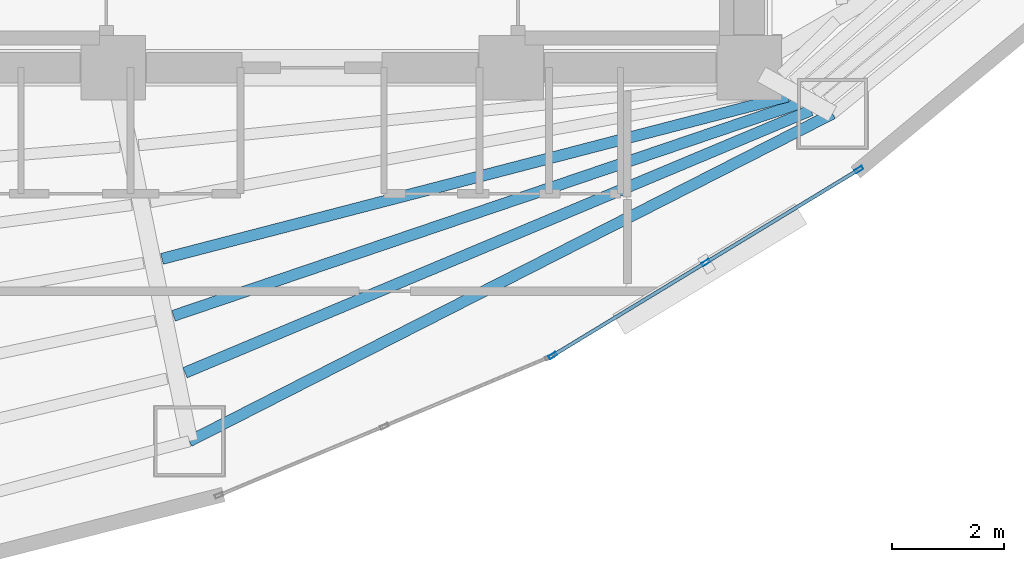
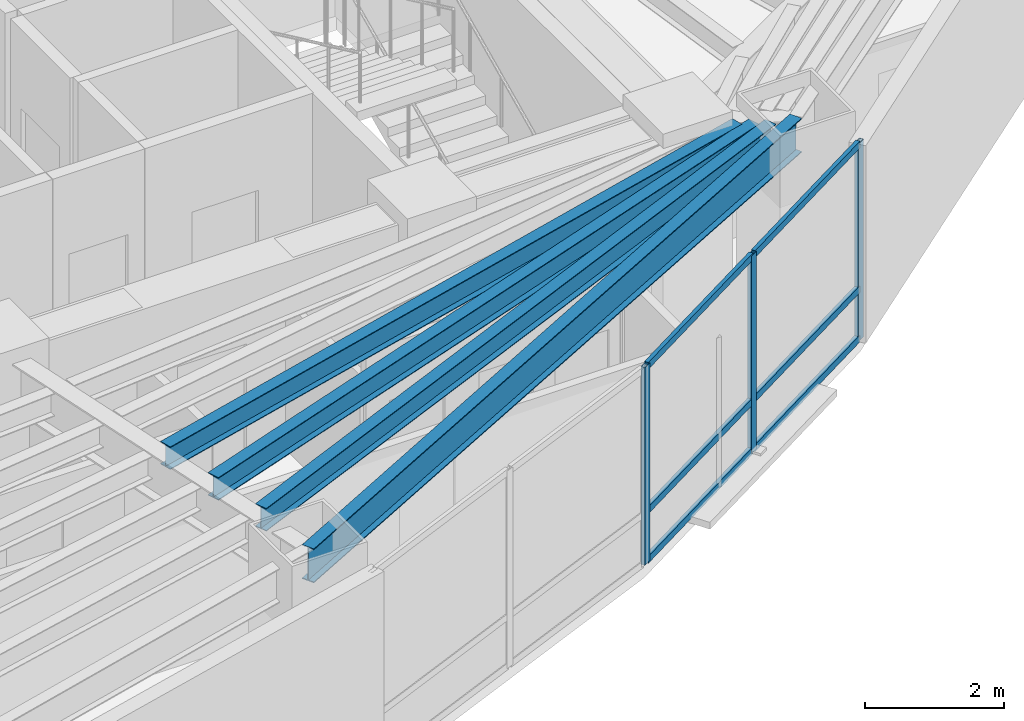
# One storey, part 5 of 18: 9 members, 4 beams, 1 element without a shape of its own.
"""IFC4 building model written with IfcOpenShell, lengths in metres."""

from ifc_helpers import new_model, si_unit, direction, frame, origin, origin_2d, place, context, subcontext, project, spatial, hollow_rectangle, i_section, extrude, material, layer, layer_set, material_profile, profile_set, type_object, element, aggregate, save


model = new_model("IFC4")

# Units and contexts
model_context = context("Model", 3, precision=1e-05, world=origin(), true_north=direction((0.0, 1.0)))
body_context = subcontext(model_context, "Body", "Model", "MODEL_VIEW")
ifc_project = project(units=[si_unit("LENGTHUNIT", "METRE"), si_unit("AREAUNIT", "SQUARE_METRE"), si_unit("VOLUMEUNIT", "CUBIC_METRE"), si_unit("PLANEANGLEUNIT", "RADIAN"), si_unit("MASSUNIT", "GRAM", prefix="KILO")], contexts=[model_context])

# Site, building, storey
site_placement = place(None, origin())
site = spatial("IfcSite", under=ifc_project, at=site_placement, CompositionType="ELEMENT")
building_placement = place(site_placement, origin())
building = spatial("IfcBuilding", under=site, at=building_placement, Name="Menara Vayukalpa", CompositionType="ELEMENT")
storey_placement = place(building_placement, frame((0.0, 0.0, 89.10009765625)))
storey = spatial("IfcBuildingStorey", under=building, at=storey_placement, Name="L21", CompositionType="ELEMENT", Elevation=89.10009765625)

# Beams
ifc_material_1 = material(Name="Steel S355", Category="steel")
ifc_material_profile_1 = material_profile(ifc_material_1, i_section(OverallWidth=0.199951171875, OverallDepth=0.39990234375, WebThickness=0.008056640625, FlangeThickness=0.012939453125, at=origin_2d()), Name="WF 400x200x8x13")
ifc_profile_set_1 = profile_set([ifc_material_profile_1], Name="Steel S355")
beam_type_1 = type_object("IfcBeamType", Name="BM-SJ2", PredefinedType="JOIST", material=ifc_profile_set_1)
beam_1_placement = place(storey_placement, frame((22.918701171875, 13.78662109375, 3.27001953125), z_axis=(0.967921665574, 0.251252162802, 0.0), x_axis=(-0.251252162802, 0.967921665574, 0.0)))
element("IfcBeam", 1, at=beam_1_placement, inside=storey, type_object=beam_type_1, Name="L21 Secondary Floor Joist SJ08-3", PredefinedType="JOIST", context=body_context, shape_type="SweptSolid", body=[
    extrude(i_section(OverallWidth=0.199951171875, OverallDepth=0.39990234375, WebThickness=0.008056640625, FlangeThickness=0.012939453125, at=origin_2d()), origin(), (0.0, 0.0, 1.0), 11.539794921875),
])
beam_2_placement = place(storey_placement, frame((23.12451171875, 12.77099609375, 3.27001953125), z_axis=(0.94694934653, 0.321382848183, 0.0), x_axis=(-0.321382848183, 0.94694934653, 0.0)))
element("IfcBeam", 2, at=beam_2_placement, inside=storey, type_object=beam_type_1, Name="L21 Secondary Floor Joist SJ08-4", PredefinedType="JOIST", context=body_context, shape_type="SweptSolid", body=[
    extrude(i_section(OverallWidth=0.199951171875, OverallDepth=0.39990234375, WebThickness=0.008056640625, FlangeThickness=0.012939453125, at=origin_2d()), origin(), (0.0, 0.0, 1.0), 11.7958984375),
])
beam_3_placement = place(storey_placement, frame((23.32958984375, 11.75439453125, 3.27001953125), z_axis=(0.922216637658, 0.386673600375, 0.0), x_axis=(-0.386673600375, 0.922216637658, 0.0)))
element("IfcBeam", 3, at=beam_3_placement, inside=storey, type_object=beam_type_1, Name="L21 Secondary Floor Joist SJ08-5", PredefinedType="JOIST", context=body_context, shape_type="SweptSolid", body=[
    extrude(i_section(OverallWidth=0.199951171875, OverallDepth=0.39990234375, WebThickness=0.008056640625, FlangeThickness=0.012939453125, at=origin_2d()), origin(), (0.0, 0.0, 1.0), 12.114501953125),
])
ifc_material_2 = material(Name="Steel S355", Category="steel")
ifc_material_profile_2 = material_profile(ifc_material_2, i_section(OverallWidth=0.199951171875, OverallDepth=0.60009765625, WebThickness=0.010986328125, FlangeThickness=0.01708984375, at=origin_2d()), Name="WF 600x200x11x17")
ifc_profile_set_2 = profile_set([ifc_material_profile_2], Name="Steel S355")
beam_type_2 = type_object("IfcBeamType", Name="BM-SP1", PredefinedType="SPANDREL", material=ifc_profile_set_2)
beam_4_placement = place(storey_placement, frame((23.408203125, 10.53271484375, 3.169921875), z_axis=(0.891097345221, 0.453812209333, 0.0), x_axis=(-0.453812209333, 0.891097345221, 0.0)))
element("IfcBeam", 4, at=beam_4_placement, inside=storey, type_object=beam_type_2, Name="L21 Perimeter Spandrel Beam SP08", PredefinedType="SPANDREL", context=body_context, shape_type="SweptSolid", body=[
    extrude(i_section(OverallWidth=0.199951171875, OverallDepth=0.60009765625, WebThickness=0.010986328125, FlangeThickness=0.01708984375, at=origin_2d()), origin(), (0.0, 0.0, 1.0), 12.88134765625),
])

# Curtain wall, members
ifc_material_3 = material(Name="Anodised Terracotta Aluminium Alloy 6063-T6", Category="masonry")
ifc_layer = layer(ifc_material_3, 0.14990234375)
ifc_layer_set = layer_set([ifc_layer], Name="Anodised Terracotta Aluminium Alloy 6063-T6")
curtain_wall_type = type_object("IfcCurtainWallType", Name="CW-CW3", PredefinedType="USERDEFINED", material=ifc_layer_set)
curtain_wall_placement = place(storey_placement, origin())
curtain_wall = element("IfcCurtainWall", 5, at=curtain_wall_placement, inside=storey, type_object=curtain_wall_type, Name="L21 Mid Rise Terracotta Ribbon Curtain Wall CW3 17", ObjectType="UNITISED", PredefinedType="USERDEFINED")
ifc_material_4 = material(Name="Anodised Terracotta Aluminium Alloy 6063-T6", Category="masonry")
ifc_material_profile_3 = material_profile(ifc_material_4, hollow_rectangle(XDim=0.06494140625, YDim=0.14990234375, WallThickness=0.00341796875, at=origin_2d()), Name="ALU 65x150x3.5")
ifc_profile_set_3 = profile_set([ifc_material_profile_3], Name="Anodised Terracotta Aluminium Alloy 6063-T6")
member_type_1 = type_object("IfcMemberType", Name="CWM-CW3", PredefinedType="MULLION", material=ifc_profile_set_3)
member_1_placement = place(storey_placement, frame((29.8935546875, 12.061767578125, 0.0), z_axis=(0.0, 0.0, 1.0), x_axis=(-0.519182959112, 0.854663123674, 0.0)))
member_1 = element("IfcMember", 6, at=member_1_placement, type_object=member_type_1, Name="CW3 mullion 1", PredefinedType="MULLION", context=body_context, shape_type="SweptSolid", body=[
    extrude(hollow_rectangle(XDim=0.06494140625, YDim=0.14990234375, WallThickness=0.00341796875, at=origin_2d()), origin(), (0.0, 0.0, 1.0), 3.469970703125),
])
member_2_placement = place(storey_placement, frame((32.6259765625, 13.721435546875, 0.0), z_axis=(0.0, 0.0, 1.0), x_axis=(-0.519182959112, 0.854663123674, 0.0)))
member_2 = element("IfcMember", 7, at=member_2_placement, type_object=member_type_1, Name="CW3 mullion 2", PredefinedType="MULLION", context=body_context, shape_type="SweptSolid", body=[
    extrude(hollow_rectangle(XDim=0.06494140625, YDim=0.14990234375, WallThickness=0.00341796875, at=origin_2d()), origin(), (0.0, 0.0, 1.0), 3.469970703125),
])
member_3_placement = place(storey_placement, frame((35.358154296875, 15.38134765625, 0.0), z_axis=(0.0, 0.0, 1.0), x_axis=(-0.519182959112, 0.854663123674, 0.0)))
member_3 = element("IfcMember", 8, at=member_3_placement, type_object=member_type_1, Name="CW3 mullion 3", PredefinedType="MULLION", context=body_context, shape_type="SweptSolid", body=[
    extrude(hollow_rectangle(XDim=0.06494140625, YDim=0.14990234375, WallThickness=0.00341796875, at=origin_2d()), origin(), (0.0, 0.0, 1.0), 3.469970703125),
])
ifc_material_5 = material(Name="Anodised Terracotta Aluminium Alloy 6063-T6", Category="masonry")
ifc_material_profile_4 = material_profile(ifc_material_5, hollow_rectangle(XDim=0.06494140625, YDim=0.1201171875, WallThickness=0.00341796875, at=origin_2d()), Name="ALU 65x120x3.5")
ifc_profile_set_4 = profile_set([ifc_material_profile_4], Name="Anodised Terracotta Aluminium Alloy 6063-T6")
member_type_2 = type_object("IfcMemberType", Name="CWT-CW3", PredefinedType="USERDEFINED", material=ifc_profile_set_4)
member_4_placement = place(storey_placement, frame((29.92138671875, 12.07861328125, 0.032470703125), z_axis=(0.854673871166, 0.519165266506, 0.0), x_axis=(-0.519165266506, 0.854673871166, 0.0)))
member_4 = element("IfcMember", 9, at=member_4_placement, type_object=member_type_2, Name="CW3 transom 1.1", ObjectType="TRANSOM", PredefinedType="USERDEFINED", context=body_context, shape_type="SweptSolid", body=[
    extrude(hollow_rectangle(XDim=0.06494140625, YDim=0.1201171875, WallThickness=0.00341796875, at=origin_2d()), origin(), (0.0, 0.0, 1.0), 3.1318359375),
])
member_5_placement = place(storey_placement, frame((29.92138671875, 12.07861328125, 0.89990234375), z_axis=(0.854673871166, 0.519165266506, 0.0), x_axis=(-0.519165266506, 0.854673871166, 0.0)))
member_5 = element("IfcMember", 10, at=member_5_placement, type_object=member_type_2, Name="CW3 transom 1.2", ObjectType="TRANSOM", PredefinedType="USERDEFINED", context=body_context, shape_type="SweptSolid", body=[
    extrude(hollow_rectangle(XDim=0.06494140625, YDim=0.1201171875, WallThickness=0.00341796875, at=origin_2d()), origin(), (0.0, 0.0, 1.0), 3.1318359375),
])
member_6_placement = place(storey_placement, frame((29.92138671875, 12.07861328125, 3.4375), z_axis=(0.854673871166, 0.519165266506, 0.0), x_axis=(-0.519165266506, 0.854673871166, 0.0)))
member_6 = element("IfcMember", 11, at=member_6_placement, type_object=member_type_2, Name="CW3 transom 1.3", ObjectType="TRANSOM", PredefinedType="USERDEFINED", context=body_context, shape_type="SweptSolid", body=[
    extrude(hollow_rectangle(XDim=0.06494140625, YDim=0.1201171875, WallThickness=0.00341796875, at=origin_2d()), origin(), (0.0, 0.0, 1.0), 3.1318359375),
])
member_7_placement = place(storey_placement, frame((32.65380859375, 13.73828125, 0.032470703125), z_axis=(0.854673871166, 0.519165266506, 0.0), x_axis=(-0.519165266506, 0.854673871166, 0.0)))
member_7 = element("IfcMember", 12, at=member_7_placement, type_object=member_type_2, Name="CW3 transom 2.1", ObjectType="TRANSOM", PredefinedType="USERDEFINED", context=body_context, shape_type="SweptSolid", body=[
    extrude(hollow_rectangle(XDim=0.06494140625, YDim=0.1201171875, WallThickness=0.00341796875, at=origin_2d()), origin(), (0.0, 0.0, 1.0), 3.1318359375),
])
member_8_placement = place(storey_placement, frame((32.65380859375, 13.73828125, 0.89990234375), z_axis=(0.854673871166, 0.519165266506, 0.0), x_axis=(-0.519165266506, 0.854673871166, 0.0)))
member_8 = element("IfcMember", 13, at=member_8_placement, type_object=member_type_2, Name="CW3 transom 2.2", ObjectType="TRANSOM", PredefinedType="USERDEFINED", context=body_context, shape_type="SweptSolid", body=[
    extrude(hollow_rectangle(XDim=0.06494140625, YDim=0.1201171875, WallThickness=0.00341796875, at=origin_2d()), origin(), (0.0, 0.0, 1.0), 3.1318359375),
])
member_9_placement = place(storey_placement, frame((32.65380859375, 13.73828125, 3.4375), z_axis=(0.854673871166, 0.519165266506, 0.0), x_axis=(-0.519165266506, 0.854673871166, 0.0)))
member_9 = element("IfcMember", 14, at=member_9_placement, type_object=member_type_2, Name="CW3 transom 2.3", ObjectType="TRANSOM", PredefinedType="USERDEFINED", context=body_context, shape_type="SweptSolid", body=[
    extrude(hollow_rectangle(XDim=0.06494140625, YDim=0.1201171875, WallThickness=0.00341796875, at=origin_2d()), origin(), (0.0, 0.0, 1.0), 3.1318359375),
])
aggregate(curtain_wall, [member_1, member_2, member_3, member_4, member_5, member_6, member_7, member_8, member_9])

save(model, "model.ifc")
